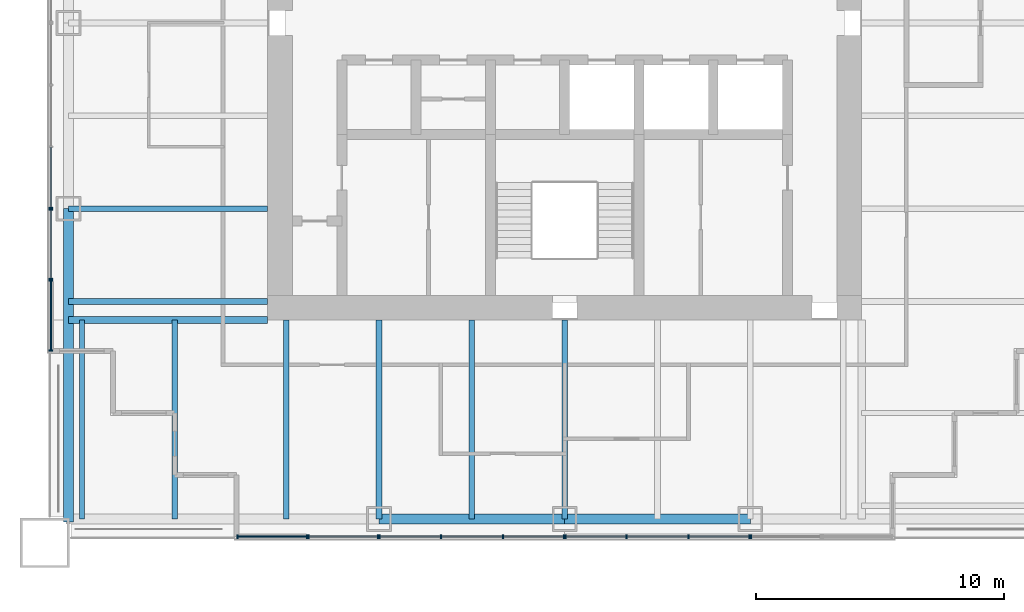
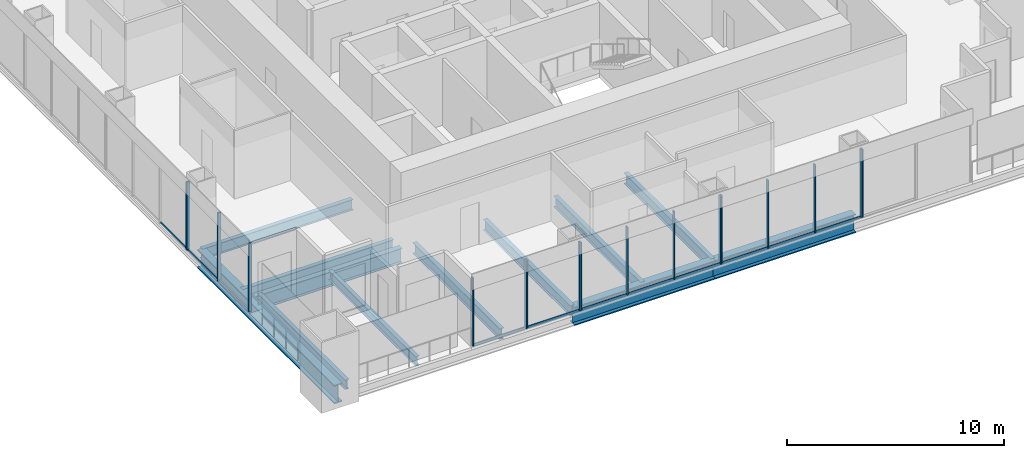
# One storey, part 2 of 14: 29 members, 12 beams, 8 elements without a shape of their own.
"""IFC4 building model written with IfcOpenShell, lengths in metres."""

from ifc_helpers import new_model, si_unit, direction, frame, origin, origin_2d, place, context, subcontext, project, spatial, rectangle, i_section, extrude, material, material_profile, profile_set, type_object, element, aggregate, save


model = new_model("IFC4")

# Units and contexts
model_context = context("Model", 3, precision=1e-05, world=origin(), true_north=direction((0.0, 1.0)))
body_context = subcontext(model_context, "Body", "Model", "MODEL_VIEW")
ifc_project = project(units=[si_unit("LENGTHUNIT", "METRE"), si_unit("AREAUNIT", "SQUARE_METRE"), si_unit("VOLUMEUNIT", "CUBIC_METRE"), si_unit("PLANEANGLEUNIT", "RADIAN"), si_unit("MASSUNIT", "GRAM", prefix="KILO")], contexts=[model_context])

# Site, building, storey
site_placement = place(None, origin())
site = spatial("IfcSite", under=ifc_project, at=site_placement, CompositionType="ELEMENT")
building_placement = place(site_placement, origin())
building = spatial("IfcBuilding", under=site, at=building_placement, Name="Tarangal Relay Tower", CompositionType="ELEMENT")
storey_placement = place(building_placement, frame((0.0, 0.0, 263.89990234375)))
storey = spatial("IfcBuildingStorey", under=building, at=storey_placement, Name="L57", CompositionType="ELEMENT", Elevation=263.89990234375)

# Beams
ifc_material_1 = material(Name="Steel ASTM A992", Category="steel")
ifc_material_profile_1 = material_profile(ifc_material_1, i_section(OverallWidth=0.209228515625, OverallDepth=0.533447265625, WebThickness=0.01025390625, FlangeThickness=0.015625, at=origin_2d()), Name="W21X62")
ifc_profile_set_1 = profile_set([ifc_material_profile_1], Name="Steel ASTM A992")
beam_type_1 = type_object("IfcBeamType", Name="Corner beam W21X62", PredefinedType="JOIST", material=ifc_profile_set_1)
for number, where, z_axis, x_axis, name in (
    (1, (-15.75, -12.0, -0.41650390625), (0.0, -1.0, 0.0), (1.0, 0.0, 0.0), "Corner beam CB12 S L57"),
    (2, (-19.5, -12.0, -0.41650390625), (0.0, -1.0, 0.0), (1.0, 0.0, 0.0), "Corner beam CB12 S L57"),
):
    element("IfcBeam", number, at=place(storey_placement, frame(where, z_axis=z_axis, x_axis=x_axis)), inside=storey, type_object=beam_type_1, Name=name, PredefinedType="JOIST", context=body_context, shape_type="SweptSolid", body=[
        extrude(i_section(OverallWidth=0.209228515625, OverallDepth=0.533447265625, WebThickness=0.01025390625, FlangeThickness=0.015625, at=origin_2d()), origin(), (0.0, 0.0, 1.0), 8.0400390625),
    ])
ifc_material_profile_2 = material_profile(ifc_material_1, i_section(OverallWidth=0.2919921875, OverallDepth=0.8408203125, WebThickness=0.0146484375, FlangeThickness=0.021728515625, at=origin_2d()), Name="W33X130")
ifc_profile_set_2 = profile_set([ifc_material_profile_2], Name="Steel ASTM A992")
beam_type_2 = type_object("IfcBeamType", Name="Corner girder W33X130", PredefinedType="BEAM", material=ifc_profile_set_2)
beam_1_placement = place(storey_placement, frame((-12.0, -12.0, -0.5703125), z_axis=(-1.0, 0.0, 0.0), x_axis=(0.0, -1.0, 0.0)))
element("IfcBeam", 3, at=beam_1_placement, inside=storey, type_object=beam_type_2, Name="Corner girder CG5 S L57", PredefinedType="BEAM", context=body_context, shape_type="SweptSolid", body=[
    extrude(i_section(OverallWidth=0.2919921875, OverallDepth=0.8408203125, WebThickness=0.0146484375, FlangeThickness=0.021728515625, at=origin_2d()), origin(), (0.0, 0.0, 1.0), 8.0400390625),
])
ifc_material_profile_3 = material_profile(ifc_material_1, i_section(OverallWidth=0.41162109375, OverallDepth=1.049072265625, WebThickness=0.033935546875, FlangeThickness=0.059814453125, at=origin_2d()), Name="W40X431")
ifc_profile_set_3 = profile_set([ifc_material_profile_3], Name="Steel ASTM A992")
beam_type_3 = type_object("IfcBeamType", Name="Edge girder W40X431", PredefinedType="SPANDREL", material=ifc_profile_set_3)
for number, where, z_axis, x_axis, name in (
    (4, (7.5, -20.0400390625, -0.67431640625), (-1.0, 0.0, 0.0), (0.0, -1.0, 0.0), "Edge girder EG1 S L57"),
    (5, (0.0, -20.0400390625, -0.67431640625), (-1.0, 0.0, 0.0), (0.0, -1.0, 0.0), "Edge girder EG1 S L57"),
):
    element("IfcBeam", number, at=place(storey_placement, frame(where, z_axis=z_axis, x_axis=x_axis)), inside=storey, type_object=beam_type_3, Name=name, PredefinedType="SPANDREL", context=body_context, shape_type="SweptSolid", body=[
        extrude(i_section(OverallWidth=0.41162109375, OverallDepth=1.049072265625, WebThickness=0.033935546875, FlangeThickness=0.059814453125, at=origin_2d()), origin(), (0.0, 0.0, 1.0), 7.5),
    ])
beam_2_placement = place(storey_placement, frame((-20.0400390625, -20.14990234375, -0.67431640625), z_axis=(0.0, 1.0, 0.0), x_axis=(-1.0, 0.0, 0.0)))
element("IfcBeam", 6, at=beam_2_placement, inside=storey, type_object=beam_type_3, Name="Edge girder EG1 W L57", PredefinedType="SPANDREL", context=body_context, shape_type="SweptSolid", body=[
    extrude(i_section(OverallWidth=0.41162109375, OverallDepth=1.049072265625, WebThickness=0.033935546875, FlangeThickness=0.059814453125, at=origin_2d()), origin(), (0.0, 0.0, 1.0), 12.64990234375),
])
ifc_material_profile_4 = material_profile(ifc_material_1, i_section(OverallWidth=0.228271484375, OverallDepth=0.607177734375, WebThickness=0.01123046875, FlangeThickness=0.017333984375, at=origin_2d()), Name="W24X76")
ifc_profile_set_4 = profile_set([ifc_material_profile_4], Name="Steel ASTM A992")
beam_type_4 = type_object("IfcBeamType", Name="Floor beam W24X76", PredefinedType="BEAM", material=ifc_profile_set_4)
for number, where, z_axis, x_axis, name in (
    (7, (0.0, -12.0, -0.453369140625), (0.0, -1.0, 0.0), (1.0, 0.0, 0.0), "Floor beam RB5 S L57"),
    (8, (-3.75, -12.0, -0.453369140625), (0.0, -1.0, 0.0), (1.0, 0.0, 0.0), "Floor beam RB5 S L57"),
    (9, (-7.5, -12.0, -0.453369140625), (0.0, -1.0, 0.0), (1.0, 0.0, 0.0), "Floor beam RB5 S L57"),
    (10, (-11.25, -12.0, -0.453369140625), (0.0, -1.0, 0.0), (1.0, 0.0, 0.0), "Floor beam RB5 S L57"),
    (11, (-12.0, -11.25, -0.453369140625), (-1.0, 0.0, 0.0), (0.0, -1.0, 0.0), "Floor beam RB5 W L57"),
    (12, (-12.0, -7.5, -0.453369140625), (-1.0, 0.0, 0.0), (0.0, -1.0, 0.0), "Floor beam RB5 W L57"),
):
    element("IfcBeam", number, at=place(storey_placement, frame(where, z_axis=z_axis, x_axis=x_axis)), inside=storey, type_object=beam_type_4, Name=name, PredefinedType="BEAM", context=body_context, shape_type="SweptSolid", body=[
        extrude(i_section(OverallWidth=0.228271484375, OverallDepth=0.607177734375, WebThickness=0.01123046875, FlangeThickness=0.017333984375, at=origin_2d()), origin(), (0.0, 0.0, 1.0), 8.0400390625),
    ])

# Curtain wall, member
ifc_material_2 = material(Name="Unitised curtain wall, dark glass and black aluminium", Category="aluminium")
curtain_wall_type_1 = type_object("IfcCurtainWallType", Name="Curtain wall CW-B", PredefinedType="USERDEFINED", material=ifc_material_2)
curtain_wall_1_placement = place(storey_placement, origin())
curtain_wall_1 = element("IfcCurtainWall", 13, at=curtain_wall_1_placement, inside=storey, type_object=curtain_wall_type_1, Name="Curtain wall CW-B S facade L57", ObjectType="UNITISED CURTAIN WALL", PredefinedType="USERDEFINED")
ifc_material_3 = material(Name="Black anodised aluminium mullion", Category="aluminium")
ifc_material_profile_5 = material_profile(ifc_material_3, rectangle(XDim=0.159912109375, YDim=0.06005859375, at=origin_2d()), Name="CW-BM 60X160")
ifc_profile_set_5 = profile_set([ifc_material_profile_5], Name="Black anodised aluminium mullion")
member_type_1 = type_object("IfcMemberType", Name="Mullion CW-B 60 x 160", PredefinedType="MULLION", material=ifc_profile_set_5)
member_1_placement = place(storey_placement, frame((7.530029296875, -20.75, 0.0), z_axis=(0.0, 0.0, 1.0), x_axis=(0.0, -1.0, 0.0)))
member_1 = element("IfcMember", 14, at=member_1_placement, type_object=member_type_1, Name="CW-B mullion 2", PredefinedType="MULLION", context=body_context, shape_type="SweptSolid", body=[
    extrude(rectangle(XDim=0.159912109375, YDim=0.06005859375, at=origin_2d()), origin(), (0.0, 0.0, 1.0), 3.85009765625),
])
aggregate(curtain_wall_1, [member_1])

# Curtain wall, members
curtain_wall_2_placement = place(storey_placement, origin())
curtain_wall_2 = element("IfcCurtainWall", 15, at=curtain_wall_2_placement, inside=storey, type_object=curtain_wall_type_1, Name="Curtain wall CW-B S facade L57", ObjectType="UNITISED CURTAIN WALL", PredefinedType="USERDEFINED")
member_2_placement = place(storey_placement, frame((7.469970703125, -20.75, 0.0), z_axis=(0.0, 0.0, 1.0), x_axis=(0.0, -1.0, 0.0)))
member_2 = element("IfcMember", 16, at=member_2_placement, type_object=member_type_1, Name="CW-B mullion 1", PredefinedType="MULLION", context=body_context, shape_type="SweptSolid", body=[
    extrude(rectangle(XDim=0.159912109375, YDim=0.06005859375, at=origin_2d()), origin(), (0.0, 0.0, 1.0), 3.85009765625),
])
member_3_placement = place(storey_placement, frame((5.0, -20.75, 0.0), z_axis=(0.0, 0.0, 1.0), x_axis=(0.0, -1.0, 0.0)))
member_3 = element("IfcMember", 17, at=member_3_placement, type_object=member_type_1, Name="CW-B mullion 2", PredefinedType="MULLION", context=body_context, shape_type="SweptSolid", body=[
    extrude(rectangle(XDim=0.159912109375, YDim=0.06005859375, at=origin_2d()), origin(), (0.0, 0.0, 1.0), 3.85009765625),
])
member_4_placement = place(storey_placement, frame((2.5, -20.75, 0.0), z_axis=(0.0, 0.0, 1.0), x_axis=(0.0, -1.0, 0.0)))
member_4 = element("IfcMember", 18, at=member_4_placement, type_object=member_type_1, Name="CW-B mullion 3", PredefinedType="MULLION", context=body_context, shape_type="SweptSolid", body=[
    extrude(rectangle(XDim=0.159912109375, YDim=0.06005859375, at=origin_2d()), origin(), (0.0, 0.0, 1.0), 3.85009765625),
])
member_5_placement = place(storey_placement, frame((0.030029296875, -20.75, 0.0), z_axis=(0.0, 0.0, 1.0), x_axis=(0.0, -1.0, 0.0)))
member_5 = element("IfcMember", 19, at=member_5_placement, type_object=member_type_1, Name="CW-B mullion 4", PredefinedType="MULLION", context=body_context, shape_type="SweptSolid", body=[
    extrude(rectangle(XDim=0.159912109375, YDim=0.06005859375, at=origin_2d()), origin(), (0.0, 0.0, 1.0), 3.85009765625),
])

curtain_wall_3_placement = place(storey_placement, origin())
curtain_wall_3 = element("IfcCurtainWall", 20, at=curtain_wall_3_placement, inside=storey, type_object=curtain_wall_type_1, Name="Curtain wall CW-B S facade L57", ObjectType="UNITISED CURTAIN WALL", PredefinedType="USERDEFINED")
member_6_placement = place(storey_placement, frame((-0.030029296875, -20.75, 0.0), z_axis=(0.0, 0.0, 1.0), x_axis=(0.0, -1.0, 0.0)))
member_6 = element("IfcMember", 21, at=member_6_placement, type_object=member_type_1, Name="CW-B mullion 1", PredefinedType="MULLION", context=body_context, shape_type="SweptSolid", body=[
    extrude(rectangle(XDim=0.159912109375, YDim=0.06005859375, at=origin_2d()), origin(), (0.0, 0.0, 1.0), 3.85009765625),
])
member_7_placement = place(storey_placement, frame((-2.5, -20.75, 0.0), z_axis=(0.0, 0.0, 1.0), x_axis=(0.0, -1.0, 0.0)))
member_7 = element("IfcMember", 22, at=member_7_placement, type_object=member_type_1, Name="CW-B mullion 2", PredefinedType="MULLION", context=body_context, shape_type="SweptSolid", body=[
    extrude(rectangle(XDim=0.159912109375, YDim=0.06005859375, at=origin_2d()), origin(), (0.0, 0.0, 1.0), 3.85009765625),
])
member_8_placement = place(storey_placement, frame((-5.0, -20.75, 0.0), z_axis=(0.0, 0.0, 1.0), x_axis=(0.0, -1.0, 0.0)))
member_8 = element("IfcMember", 23, at=member_8_placement, type_object=member_type_1, Name="CW-B mullion 3", PredefinedType="MULLION", context=body_context, shape_type="SweptSolid", body=[
    extrude(rectangle(XDim=0.159912109375, YDim=0.06005859375, at=origin_2d()), origin(), (0.0, 0.0, 1.0), 3.85009765625),
])
member_9_placement = place(storey_placement, frame((-7.469970703125, -20.75, 0.0), z_axis=(0.0, 0.0, 1.0), x_axis=(0.0, -1.0, 0.0)))
member_9 = element("IfcMember", 24, at=member_9_placement, type_object=member_type_1, Name="CW-B mullion 4", PredefinedType="MULLION", context=body_context, shape_type="SweptSolid", body=[
    extrude(rectangle(XDim=0.159912109375, YDim=0.06005859375, at=origin_2d()), origin(), (0.0, 0.0, 1.0), 3.85009765625),
])

curtain_wall_4_placement = place(storey_placement, origin())
curtain_wall_4 = element("IfcCurtainWall", 25, at=curtain_wall_4_placement, inside=storey, type_object=curtain_wall_type_1, Name="Curtain wall CW-B S facade L57", ObjectType="UNITISED CURTAIN WALL", PredefinedType="USERDEFINED")
member_10_placement = place(storey_placement, frame((-7.530029296875, -20.75, 0.0), z_axis=(0.0, 0.0, 1.0), x_axis=(0.0, -1.0, 0.0)))
member_10 = element("IfcMember", 26, at=member_10_placement, type_object=member_type_1, Name="CW-B mullion 1", PredefinedType="MULLION", context=body_context, shape_type="SweptSolid", body=[
    extrude(rectangle(XDim=0.159912109375, YDim=0.06005859375, at=origin_2d()), origin(), (0.0, 0.0, 1.0), 3.85009765625),
])
member_11_placement = place(storey_placement, frame((-10.344970703125, -20.75, 0.0), z_axis=(0.0, 0.0, 1.0), x_axis=(0.0, -1.0, 0.0)))
member_11 = element("IfcMember", 27, at=member_11_placement, type_object=member_type_1, Name="CW-B mullion 2", PredefinedType="MULLION", context=body_context, shape_type="SweptSolid", body=[
    extrude(rectangle(XDim=0.159912109375, YDim=0.06005859375, at=origin_2d()), origin(), (0.0, 0.0, 1.0), 3.85009765625),
])

curtain_wall_5_placement = place(storey_placement, origin())
curtain_wall_5 = element("IfcCurtainWall", 28, at=curtain_wall_5_placement, inside=storey, type_object=curtain_wall_type_1, Name="Curtain wall CW-B W facade L57", ObjectType="UNITISED CURTAIN WALL", PredefinedType="USERDEFINED")
member_12_placement = place(storey_placement, frame((-20.75, -10.344970703125, 0.0), z_axis=(0.0, 0.0, 1.0), x_axis=(-1.0, 0.0, 0.0)))
member_12 = element("IfcMember", 29, at=member_12_placement, type_object=member_type_1, Name="CW-B mullion 1", PredefinedType="MULLION", context=body_context, shape_type="SweptSolid", body=[
    extrude(rectangle(XDim=0.159912109375, YDim=0.06005859375, at=origin_2d()), origin(), (0.0, 0.0, 1.0), 3.85009765625),
])
member_13_placement = place(storey_placement, frame((-20.75, -7.530029296875, 0.0), z_axis=(0.0, 0.0, 1.0), x_axis=(-1.0, 0.0, 0.0)))
member_13 = element("IfcMember", 30, at=member_13_placement, type_object=member_type_1, Name="CW-B mullion 2", PredefinedType="MULLION", context=body_context, shape_type="SweptSolid", body=[
    extrude(rectangle(XDim=0.159912109375, YDim=0.06005859375, at=origin_2d()), origin(), (0.0, 0.0, 1.0), 3.85009765625),
])

# Curtain wall, member
curtain_wall_6_placement = place(storey_placement, origin())
curtain_wall_6 = element("IfcCurtainWall", 31, at=curtain_wall_6_placement, inside=storey, type_object=curtain_wall_type_1, Name="Curtain wall CW-B W facade L57", ObjectType="UNITISED CURTAIN WALL", PredefinedType="USERDEFINED")
member_14_placement = place(storey_placement, frame((-20.75, -7.469970703125, 0.0), z_axis=(0.0, 0.0, 1.0), x_axis=(-1.0, 0.0, 0.0)))
member_14 = element("IfcMember", 32, at=member_14_placement, type_object=member_type_1, Name="CW-B mullion 1", PredefinedType="MULLION", context=body_context, shape_type="SweptSolid", body=[
    extrude(rectangle(XDim=0.159912109375, YDim=0.06005859375, at=origin_2d()), origin(), (0.0, 0.0, 1.0), 3.85009765625),
])

# Curtain wall, members
ifc_material_4 = material(Name="Unitised curtain wall frame, black aluminium, with metal clad infill walls", Category="aluminium")
curtain_wall_type_2 = type_object("IfcCurtainWallType", Name="Curtain wall CW-BO", PredefinedType="USERDEFINED", material=ifc_material_4)
curtain_wall_7_placement = place(storey_placement, origin())
curtain_wall_7 = element("IfcCurtainWall", 33, at=curtain_wall_7_placement, inside=storey, type_object=curtain_wall_type_2, Name="Curtain wall CW-BO S facade L57", ObjectType="UNITISED CURTAIN WALL", PredefinedType="USERDEFINED")
ifc_material_profile_6 = material_profile(ifc_material_3, rectangle(XDim=0.159912109375, YDim=0.06005859375, at=origin_2d()), Name="CW-BOM 60X160")
ifc_profile_set_6 = profile_set([ifc_material_profile_6], Name="Black anodised aluminium mullion")
member_type_2 = type_object("IfcMemberType", Name="Mullion CW-BO 60 x 160", PredefinedType="MULLION", material=ifc_profile_set_6)
member_15_placement = place(storey_placement, frame((-10.405029296875, -20.75, 0.0), z_axis=(0.0, 0.0, 1.0), x_axis=(0.0, -1.0, 0.0)))
member_15 = element("IfcMember", 34, at=member_15_placement, type_object=member_type_2, Name="CW-BO mullion 1", PredefinedType="MULLION", context=body_context, shape_type="SweptSolid", body=[
    extrude(rectangle(XDim=0.159912109375, YDim=0.06005859375, at=origin_2d()), origin(), (0.0, 0.0, 1.0), 3.85009765625),
])
member_16_placement = place(storey_placement, frame((-13.219970703125, -20.75, 0.0), z_axis=(0.0, 0.0, 1.0), x_axis=(0.0, -1.0, 0.0)))
member_16 = element("IfcMember", 35, at=member_16_placement, type_object=member_type_2, Name="CW-BO mullion 2", PredefinedType="MULLION", context=body_context, shape_type="SweptSolid", body=[
    extrude(rectangle(XDim=0.159912109375, YDim=0.06005859375, at=origin_2d()), origin(), (0.0, 0.0, 1.0), 3.85009765625),
])

curtain_wall_8_placement = place(storey_placement, origin())
curtain_wall_8 = element("IfcCurtainWall", 36, at=curtain_wall_8_placement, inside=storey, type_object=curtain_wall_type_2, Name="Curtain wall CW-BO W facade L57", ObjectType="UNITISED CURTAIN WALL", PredefinedType="USERDEFINED")
member_17_placement = place(storey_placement, frame((-20.75, -13.219970703125, 0.0), z_axis=(0.0, 0.0, 1.0), x_axis=(-1.0, 0.0, 0.0)))
member_17 = element("IfcMember", 37, at=member_17_placement, type_object=member_type_2, Name="CW-BO mullion 1", PredefinedType="MULLION", context=body_context, shape_type="SweptSolid", body=[
    extrude(rectangle(XDim=0.159912109375, YDim=0.06005859375, at=origin_2d()), origin(), (0.0, 0.0, 1.0), 3.85009765625),
])
member_18_placement = place(storey_placement, frame((-20.75, -10.405029296875, 0.0), z_axis=(0.0, 0.0, 1.0), x_axis=(-1.0, 0.0, 0.0)))
member_18 = element("IfcMember", 38, at=member_18_placement, type_object=member_type_2, Name="CW-BO mullion 2", PredefinedType="MULLION", context=body_context, shape_type="SweptSolid", body=[
    extrude(rectangle(XDim=0.159912109375, YDim=0.06005859375, at=origin_2d()), origin(), (0.0, 0.0, 1.0), 3.85009765625),
])

# Member
ifc_material_5 = material(Name="Black anodised aluminium transom", Category="aluminium")
ifc_material_profile_7 = material_profile(ifc_material_5, rectangle(XDim=0.06005859375, YDim=0.1298828125, at=origin_2d()), Name="CW-BT 60X130")
ifc_profile_set_7 = profile_set([ifc_material_profile_7], Name="Black anodised aluminium transom")
member_type_3 = type_object("IfcMemberType", Name="Transom CW-B 60 x 130", PredefinedType="USERDEFINED", material=ifc_profile_set_7)
member_19_placement = place(storey_placement, frame((7.43994140625, -20.75, 0.030029296875), z_axis=(-1.0, 0.0, 0.0), x_axis=(0.0, -1.0, 0.0)))
member_19 = element("IfcMember", 39, at=member_19_placement, type_object=member_type_3, Name="CW-B transom 1.1", ObjectType="TRANSOM", PredefinedType="USERDEFINED", context=body_context, shape_type="SweptSolid", body=[
    extrude(rectangle(XDim=0.06005859375, YDim=0.1298828125, at=origin_2d()), origin(), (0.0, 0.0, 1.0), 2.409912109375),
])

member_20_placement = place(storey_placement, frame((4.969970703125, -20.75, 0.030029296875), z_axis=(-1.0, 0.0, 0.0), x_axis=(0.0, -1.0, 0.0)))
member_20 = element("IfcMember", 40, at=member_20_placement, type_object=member_type_3, Name="CW-B transom 2.1", ObjectType="TRANSOM", PredefinedType="USERDEFINED", context=body_context, shape_type="SweptSolid", body=[
    extrude(rectangle(XDim=0.06005859375, YDim=0.1298828125, at=origin_2d()), origin(), (0.0, 0.0, 1.0), 2.43994140625),
])

member_21_placement = place(storey_placement, frame((2.469970703125, -20.75, 0.030029296875), z_axis=(-1.0, 0.0, 0.0), x_axis=(0.0, -1.0, 0.0)))
member_21 = element("IfcMember", 41, at=member_21_placement, type_object=member_type_3, Name="CW-B transom 3.1", ObjectType="TRANSOM", PredefinedType="USERDEFINED", context=body_context, shape_type="SweptSolid", body=[
    extrude(rectangle(XDim=0.06005859375, YDim=0.1298828125, at=origin_2d()), origin(), (0.0, 0.0, 1.0), 2.409912109375),
])

aggregate(curtain_wall_2, [member_2, member_3, member_4, member_5, member_19, member_20, member_21])

member_22_placement = place(storey_placement, frame((-0.06005859375, -20.75, 0.030029296875), z_axis=(-1.0, 0.0, 0.0), x_axis=(0.0, -1.0, 0.0)))
member_22 = element("IfcMember", 42, at=member_22_placement, type_object=member_type_3, Name="CW-B transom 1.1", ObjectType="TRANSOM", PredefinedType="USERDEFINED", context=body_context, shape_type="SweptSolid", body=[
    extrude(rectangle(XDim=0.06005859375, YDim=0.1298828125, at=origin_2d()), origin(), (0.0, 0.0, 1.0), 2.409912109375),
])

member_23_placement = place(storey_placement, frame((-2.530029296875, -20.75, 0.030029296875), z_axis=(-1.0, 0.0, 0.0), x_axis=(0.0, -1.0, 0.0)))
member_23 = element("IfcMember", 43, at=member_23_placement, type_object=member_type_3, Name="CW-B transom 2.1", ObjectType="TRANSOM", PredefinedType="USERDEFINED", context=body_context, shape_type="SweptSolid", body=[
    extrude(rectangle(XDim=0.06005859375, YDim=0.1298828125, at=origin_2d()), origin(), (0.0, 0.0, 1.0), 2.43994140625),
])

member_24_placement = place(storey_placement, frame((-5.030029296875, -20.75, 0.030029296875), z_axis=(-1.0, 0.0, 0.0), x_axis=(0.0, -1.0, 0.0)))
member_24 = element("IfcMember", 44, at=member_24_placement, type_object=member_type_3, Name="CW-B transom 3.1", ObjectType="TRANSOM", PredefinedType="USERDEFINED", context=body_context, shape_type="SweptSolid", body=[
    extrude(rectangle(XDim=0.06005859375, YDim=0.1298828125, at=origin_2d()), origin(), (0.0, 0.0, 1.0), 2.409912109375),
])

aggregate(curtain_wall_3, [member_6, member_7, member_8, member_9, member_22, member_23, member_24])

member_25_placement = place(storey_placement, frame((-7.56005859375, -20.75, 0.030029296875), z_axis=(-1.0, 0.0, 0.0), x_axis=(0.0, -1.0, 0.0)))
member_25 = element("IfcMember", 45, at=member_25_placement, type_object=member_type_3, Name="CW-B transom 1.1", ObjectType="TRANSOM", PredefinedType="USERDEFINED", context=body_context, shape_type="SweptSolid", body=[
    extrude(rectangle(XDim=0.06005859375, YDim=0.1298828125, at=origin_2d()), origin(), (0.0, 0.0, 1.0), 2.7548828125),
])

aggregate(curtain_wall_4, [member_10, member_11, member_25])

member_26_placement = place(storey_placement, frame((-20.75, -10.31494140625, 0.030029296875), z_axis=(0.0, 1.0, 0.0), x_axis=(-1.0, 0.0, 0.0)))
member_26 = element("IfcMember", 46, at=member_26_placement, type_object=member_type_3, Name="CW-B transom 1.1", ObjectType="TRANSOM", PredefinedType="USERDEFINED", context=body_context, shape_type="SweptSolid", body=[
    extrude(rectangle(XDim=0.06005859375, YDim=0.1298828125, at=origin_2d()), origin(), (0.0, 0.0, 1.0), 2.7548828125),
])

aggregate(curtain_wall_5, [member_12, member_13, member_26])

member_27_placement = place(storey_placement, frame((-20.75, -7.43994140625, 0.030029296875), z_axis=(0.0, 1.0, 0.0), x_axis=(-1.0, 0.0, 0.0)))
member_27 = element("IfcMember", 47, at=member_27_placement, type_object=member_type_3, Name="CW-B transom 1.1", ObjectType="TRANSOM", PredefinedType="USERDEFINED", context=body_context, shape_type="SweptSolid", body=[
    extrude(rectangle(XDim=0.06005859375, YDim=0.1298828125, at=origin_2d()), origin(), (0.0, 0.0, 1.0), 2.409912109375),
])

aggregate(curtain_wall_6, [member_14, member_27])

ifc_material_profile_8 = material_profile(ifc_material_5, rectangle(XDim=0.06005859375, YDim=0.1298828125, at=origin_2d()), Name="CW-BOT 60X130")
ifc_profile_set_8 = profile_set([ifc_material_profile_8], Name="Black anodised aluminium transom")
member_type_4 = type_object("IfcMemberType", Name="Transom CW-BO 60 x 130", PredefinedType="USERDEFINED", material=ifc_profile_set_8)
member_28_placement = place(storey_placement, frame((-10.43505859375, -20.75, 0.030029296875), z_axis=(-1.0, 0.0, 0.0), x_axis=(0.0, -1.0, 0.0)))
member_28 = element("IfcMember", 48, at=member_28_placement, type_object=member_type_4, Name="CW-BO transom 1.1", ObjectType="TRANSOM", PredefinedType="USERDEFINED", context=body_context, shape_type="SweptSolid", body=[
    extrude(rectangle(XDim=0.06005859375, YDim=0.1298828125, at=origin_2d()), origin(), (0.0, 0.0, 1.0), 2.7548828125),
])

aggregate(curtain_wall_7, [member_15, member_16, member_28])

member_29_placement = place(storey_placement, frame((-20.75, -13.18994140625, 0.030029296875), z_axis=(0.0, 1.0, 0.0), x_axis=(-1.0, 0.0, 0.0)))
member_29 = element("IfcMember", 49, at=member_29_placement, type_object=member_type_4, Name="CW-BO transom 1.1", ObjectType="TRANSOM", PredefinedType="USERDEFINED", context=body_context, shape_type="SweptSolid", body=[
    extrude(rectangle(XDim=0.06005859375, YDim=0.1298828125, at=origin_2d()), origin(), (0.0, 0.0, 1.0), 2.7548828125),
])

aggregate(curtain_wall_8, [member_17, member_18, member_29])

save(model, "model.ifc")
